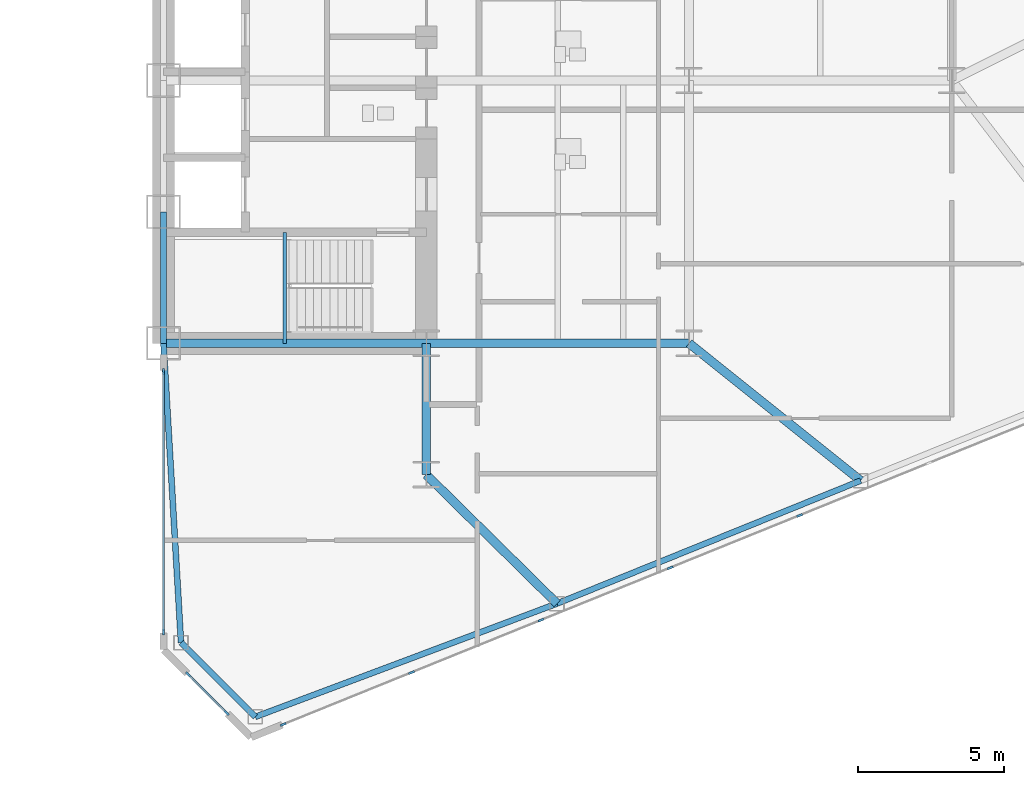
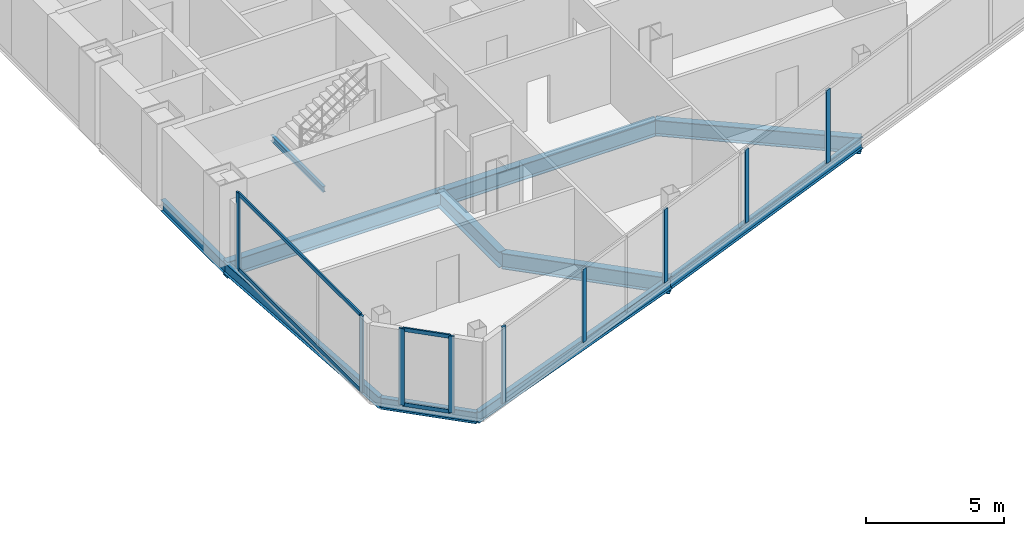
# One storey, part 9 of 25: 13 members, 11 beams, 3 elements without a shape of their own.
"""IFC4 building model written with IfcOpenShell, lengths in metres."""

from ifc_helpers import new_model, si_unit, direction, frame, origin, origin_2d, place, context, subcontext, project, spatial, rectangle, i_section, extrude, source, transform, mapped, material, layer, layer_set, material_profile, profile_set, type_object, type_shapes, element, aggregate, save


model = new_model("IFC4")

# Units and contexts
model_context = context("Model", 3, precision=1e-05, world=origin(), true_north=direction((0.0, 1.0)))
body_context = subcontext(model_context, "Body", "Model", "MODEL_VIEW")
ifc_project = project(units=[si_unit("LENGTHUNIT", "METRE"), si_unit("AREAUNIT", "SQUARE_METRE"), si_unit("VOLUMEUNIT", "CUBIC_METRE"), si_unit("PLANEANGLEUNIT", "RADIAN"), si_unit("MASSUNIT", "GRAM", prefix="KILO")], contexts=[model_context])

# Site, building, storey
site_placement = place(None, origin())
site = spatial("IfcSite", under=ifc_project, at=site_placement, CompositionType="ELEMENT")
building_placement = place(site_placement, origin())
building = spatial("IfcBuilding", under=site, at=building_placement, Name="Seokmaru Belvedere", CompositionType="ELEMENT")
storey_placement = place(building_placement, frame((0.0, 0.0, 54.89990234375)))
storey = spatial("IfcBuildingStorey", under=building, at=storey_placement, Name="L14", CompositionType="ELEMENT", Elevation=54.89990234375)

# Beams
ifc_material_1 = material(Name="Steel SM355 (355 MPa)", Category="steel")
ifc_material_profile_1 = material_profile(ifc_material_1, i_section(OverallWidth=0.199951171875, OverallDepth=0.5, WebThickness=0.010009765625, FlangeThickness=0.01611328125, at=origin_2d()), Name="H-500x200x10x16")
ifc_profile_set_1 = profile_set([ifc_material_profile_1], Name="Steel SM355 (355 MPa)")
beam_type_1 = type_object("IfcBeamType", Name="Perimeter Spandrel Beam H-500", PredefinedType="SPANDREL", material=ifc_profile_set_1)
shared_shape_1 = source(origin(), body_context, "Body", "SweptSolid", [
    extrude(i_section(OverallWidth=0.199951171875, OverallDepth=0.5, WebThickness=0.010009765625, FlangeThickness=0.01611328125, at=origin_2d()), origin(), (0.0, 0.0, 1.0), 4.5),
])
beam_1_placement = place(storey_placement, frame((27.5, -13.5, -0.469970703125), z_axis=(0.0, 1.0, 0.0), x_axis=(-1.0, 0.0, 0.0)))
element("IfcBeam", 1, at=beam_1_placement, inside=storey, type_object=beam_type_1, Name="L14 E Portal Spine Spandrel 1", PredefinedType="SPANDREL", context=body_context, shape_type="MappedRepresentation", body=[
    mapped(shared_shape_1, transform((0.0, 0.0, 0.0), scale=1.0)),
])
ifc_material_profile_2 = material_profile(ifc_material_1, i_section(OverallWidth=0.300048828125, OverallDepth=0.699951171875, WebThickness=0.012939453125, FlangeThickness=0.02392578125, at=origin_2d()), Name="H-700x300x13x24")
ifc_profile_set_2 = profile_set([ifc_material_profile_2], Name="Steel SM355 (355 MPa)")
beam_type_2 = type_object("IfcBeamType", Name="Primary Floor Girder H-700", PredefinedType="BEAM", material=ifc_profile_set_2)
shared_shape_2 = source(origin(), body_context, "Body", "SweptSolid", [
    extrude(i_section(OverallWidth=0.300048828125, OverallDepth=0.699951171875, WebThickness=0.012939453125, FlangeThickness=0.02392578125, at=origin_2d()), origin(), (0.0, 0.0, 1.0), 4.5),
])
beam_2_placement = place(storey_placement, frame((36.5, -18.0, -0.56982421875), z_axis=(0.0, 1.0, 0.0), x_axis=(-1.0, 0.0, 0.0)))
element("IfcBeam", 2, at=beam_2_placement, inside=storey, type_object=beam_type_2, Name="L14 E Core Shoulder Girder S", PredefinedType="BEAM", context=body_context, shape_type="MappedRepresentation", body=[
    mapped(shared_shape_2, transform((0.0, 0.0, 0.0), scale=1.0)),
])
shared_shape_3 = source(origin(), body_context, "Body", "SweptSolid", [
    extrude(i_section(OverallWidth=0.300048828125, OverallDepth=0.699951171875, WebThickness=0.012939453125, FlangeThickness=0.02392578125, at=origin_2d()), origin(), (0.0, 0.0, 1.0), 9.0),
])
for number, where, z_axis, x_axis, name in (
    (3, (27.5, -13.5, -0.56982421875), (1.0, 0.0, 0.0), (0.0, 1.0, 0.0), "L14 E Core Tie Girder 1"),
    (4, (36.5, -13.5, -0.56982421875), (1.0, 0.0, 0.0), (0.0, 1.0, 0.0), "L14 E Wing Primary Girder 1"),
):
    element("IfcBeam", number, at=place(storey_placement, frame(where, z_axis=z_axis, x_axis=x_axis)), inside=storey, type_object=beam_type_2, Name=name, PredefinedType="BEAM", context=body_context, shape_type="MappedRepresentation", body=[
        mapped(shared_shape_3, transform((0.0, 0.0, 0.0), scale=1.0)),
    ])
shared_shape_4 = source(origin(), body_context, "Body", "SweptSolid", [
    extrude(i_section(OverallWidth=0.199951171875, OverallDepth=0.5, WebThickness=0.010009765625, FlangeThickness=0.01611328125, at=origin_2d()), origin(), (0.0, 0.0, 1.0), 11.03857421875),
])
beam_3_placement = place(storey_placement, frame((30.643310546875, -26.294677734375, -0.469970703125), z_axis=(0.936169110734, 0.351549990907, 0.0), x_axis=(-0.351549990907, 0.936169110734, 0.0)))
element("IfcBeam", 5, at=beam_3_placement, inside=storey, type_object=beam_type_1, Name="L14 E Faceted Flank Spandrel S-1", PredefinedType="SPANDREL", context=body_context, shape_type="MappedRepresentation", body=[
    mapped(shared_shape_4, transform((0.0, 0.0, 0.0), scale=1.0)),
])
shared_shape_5 = source(origin(), body_context, "Body", "SweptSolid", [
    extrude(i_section(OverallWidth=0.199951171875, OverallDepth=0.5, WebThickness=0.010009765625, FlangeThickness=0.01611328125, at=origin_2d()), origin(), (0.0, 0.0, 1.0), 11.220703125),
])
beam_4_placement = place(storey_placement, frame((40.977294921875, -22.4140625, -0.469970703125), z_axis=(0.926944290816, 0.375198989503, 0.0), x_axis=(-0.375198989503, 0.926944290816, 0.0)))
element("IfcBeam", 6, at=beam_4_placement, inside=storey, type_object=beam_type_1, Name="L14 E Faceted Flank Spandrel S-2", PredefinedType="SPANDREL", context=body_context, shape_type="MappedRepresentation", body=[
    mapped(shared_shape_5, transform((0.0, 0.0, 0.0), scale=1.0)),
])
shared_shape_6 = source(origin(), body_context, "Body", "SweptSolid", [
    extrude(i_section(OverallWidth=0.199951171875, OverallDepth=0.5, WebThickness=0.010009765625, FlangeThickness=0.01611328125, at=origin_2d()), origin(), (0.0, 0.0, 1.0), 3.5966796875),
])
beam_5_placement = place(storey_placement, frame((30.643310546875, -26.294677734375, -0.469970703125), z_axis=(-0.707106781187, 0.707106781187, 0.0), x_axis=(-0.707106781187, -0.707106781187, 0.0)))
element("IfcBeam", 7, at=beam_5_placement, inside=storey, type_object=beam_type_1, Name="L14 E Shoulder Chamfer Spandrel S", PredefinedType="SPANDREL", context=body_context, shape_type="MappedRepresentation", body=[
    mapped(shared_shape_6, transform((0.0, 0.0, 0.0), scale=1.0)),
])
shared_shape_7 = source(origin(), body_context, "Body", "SweptSolid", [
    extrude(i_section(OverallWidth=0.199951171875, OverallDepth=0.5, WebThickness=0.010009765625, FlangeThickness=0.01611328125, at=origin_2d()), origin(), (0.0, 0.0, 1.0), 10.26904296875),
])
type_shapes(beam_type_1, [shared_shape_1, shared_shape_4, shared_shape_5, shared_shape_6, shared_shape_7])
beam_6_placement = place(storey_placement, frame((28.10009765625, -23.75146484375, -0.469970703125), z_axis=(-0.058437709399, 0.998291056817, 0.0), x_axis=(-0.998291056817, -0.058437709399, 0.0)))
element("IfcBeam", 8, at=beam_6_placement, inside=storey, type_object=beam_type_1, Name="L14 E Shoulder Spine Spandrel S", PredefinedType="SPANDREL", context=body_context, shape_type="MappedRepresentation", body=[
    mapped(shared_shape_7, transform((0.0, 0.0, 0.0), scale=1.0)),
])
shared_shape_8 = source(origin(), body_context, "Body", "SweptSolid", [
    extrude(i_section(OverallWidth=0.300048828125, OverallDepth=0.699951171875, WebThickness=0.012939453125, FlangeThickness=0.02392578125, at=origin_2d()), origin(), (0.0, 0.0, 1.0), 6.287353515625),
])
beam_7_placement = place(storey_placement, frame((40.977294921875, -22.4140625, -0.56982421875), z_axis=(-0.712117485263, 0.702060315915, 0.0), x_axis=(-0.702060315915, -0.712117485263, 0.0)))
element("IfcBeam", 9, at=beam_7_placement, inside=storey, type_object=beam_type_2, Name="L14 E Flank Radial Floor Girder S-1", PredefinedType="BEAM", context=body_context, shape_type="MappedRepresentation", body=[
    mapped(shared_shape_8, transform((0.0, 0.0, 0.0), scale=1.0)),
])
shared_shape_9 = source(origin(), body_context, "Body", "SweptSolid", [
    extrude(i_section(OverallWidth=0.300048828125, OverallDepth=0.699951171875, WebThickness=0.012939453125, FlangeThickness=0.02392578125, at=origin_2d()), origin(), (0.0, 0.0, 1.0), 7.52880859375),
])
type_shapes(beam_type_2, [shared_shape_2, shared_shape_3, shared_shape_8, shared_shape_9])
beam_8_placement = place(storey_placement, frame((51.378173828125, -18.2041015625, -0.56982421875), z_axis=(-0.780767560736, 0.624821587418, 0.0), x_axis=(-0.624821587418, -0.780767560736, 0.0)))
element("IfcBeam", 10, at=beam_8_placement, inside=storey, type_object=beam_type_2, Name="L14 E Flank Radial Floor Girder S-2", PredefinedType="BEAM", context=body_context, shape_type="MappedRepresentation", body=[
    mapped(shared_shape_9, transform((0.0, 0.0, 0.0), scale=1.0)),
])

# Curtain wall, member
ifc_material_2 = material(Name="Bronze Triple Insulating Glass", Category="glass")
ifc_layer = layer(ifc_material_2, 0.2099609375)
ifc_layer_set = layer_set([ifc_layer], Name="Bronze Triple Insulating Glass")
curtain_wall_type = type_object("IfcCurtainWallType", Name="Low-Rise Faceted Crystal Curtain Wall System CW-2", PredefinedType="NOTDEFINED", material=ifc_layer_set)
curtain_wall_1_placement = place(storey_placement, origin())
curtain_wall_1 = element("IfcCurtainWall", 11, at=curtain_wall_1_placement, inside=storey, type_object=curtain_wall_type, Name="L14 Curtain Wall EF1", PredefinedType="NOTDEFINED")
ifc_material_3 = material(Name="Anodised Bronze Aluminium", Category="aluminium")
ifc_material_profile_3 = material_profile(ifc_material_3, rectangle(XDim=0.074951171875, YDim=0.2099609375, at=origin_2d()), Name="CW-M-75x210")
ifc_profile_set_3 = profile_set([ifc_material_profile_3], Name="Anodised Bronze Aluminium")
member_type_1 = type_object("IfcMemberType", Name="Bronze Unitised Mullion 75x210", PredefinedType="MULLION", material=ifc_profile_set_3)
shared_shape_10 = source(origin(), body_context, "Body", "SweptSolid", [
    extrude(rectangle(XDim=0.074951171875, YDim=0.2099609375, at=origin_2d()), origin(), (0.0, 0.0, 1.0), 3.380126953125),
])
member_1_placement = place(storey_placement, frame((31.600830078125, -26.554443359375, 0.0), z_axis=(0.0, 0.0, 1.0), x_axis=(-0.375192321888, 0.926946989637, 0.0)))
member_1 = element("IfcMember", 12, at=member_1_placement, type_object=member_type_1, Name="CW:L14:EF1 Mullion 1", PredefinedType="MULLION", context=body_context, shape_type="MappedRepresentation", body=[
    mapped(shared_shape_10, transform((0.0, 0.0, 0.0), scale=1.0)),
])

# Curtain wall, members
curtain_wall_2_placement = place(storey_placement, origin())
curtain_wall_2 = element("IfcCurtainWall", 13, at=curtain_wall_2_placement, inside=storey, type_object=curtain_wall_type, Name="L14 Curtain Wall ESP_1", PredefinedType="NOTDEFINED")
member_2_placement = place(storey_placement, frame((27.5, -14.467529296875, 0.0), z_axis=(0.0, 0.0, 1.0), x_axis=(1.0, 0.0, 0.0)))
member_2 = element("IfcMember", 14, at=member_2_placement, type_object=member_type_1, Name="CW:L14:ESP_1 Mullion 1", PredefinedType="MULLION", context=body_context, shape_type="MappedRepresentation", body=[
    mapped(shared_shape_10, transform((0.0, 0.0, 0.0), scale=1.0)),
])
member_3_placement = place(storey_placement, frame((27.5, -23.392578125, 0.0), z_axis=(0.0, 0.0, 1.0), x_axis=(1.0, 0.0, 0.0)))
member_3 = element("IfcMember", 15, at=member_3_placement, type_object=member_type_1, Name="CW:L14:ESP_1 Mullion 2", PredefinedType="MULLION", context=body_context, shape_type="MappedRepresentation", body=[
    mapped(shared_shape_10, transform((0.0, 0.0, 0.0), scale=1.0)),
])

curtain_wall_3_placement = place(storey_placement, origin())
curtain_wall_3 = element("IfcCurtainWall", 16, at=curtain_wall_3_placement, inside=storey, type_object=curtain_wall_type, Name="L14 Curtain Wall EF6", PredefinedType="NOTDEFINED")
member_4_placement = place(storey_placement, frame((28.339599609375, -24.839599609375, 0.0), z_axis=(0.0, 0.0, 1.0), x_axis=(0.707106781187, 0.707106781187, 0.0)))
member_4 = element("IfcMember", 17, at=member_4_placement, type_object=member_type_1, Name="CW:L14:EF6 Mullion 1", PredefinedType="MULLION", context=body_context, shape_type="MappedRepresentation", body=[
    mapped(shared_shape_10, transform((0.0, 0.0, 0.0), scale=1.0)),
])
member_5_placement = place(storey_placement, frame((29.660400390625, -26.160400390625, 0.0), z_axis=(0.0, 0.0, 1.0), x_axis=(0.707106781187, 0.707106781187, 0.0)))
member_5 = element("IfcMember", 18, at=member_5_placement, type_object=member_type_1, Name="CW:L14:EF6 Mullion 2", PredefinedType="MULLION", context=body_context, shape_type="MappedRepresentation", body=[
    mapped(shared_shape_10, transform((0.0, 0.0, 0.0), scale=1.0)),
])

# Member
ifc_material_profile_4 = material_profile(ifc_material_3, rectangle(XDim=0.070068359375, YDim=0.1650390625, at=origin_2d()), Name="CW-T-70x165")
ifc_profile_set_4 = profile_set([ifc_material_profile_4], Name="Anodised Bronze Aluminium")
member_type_2 = type_object("IfcMemberType", Name="Bronze Unitised Transom 70x165", PredefinedType="USERDEFINED", material=ifc_profile_set_4)
shared_shape_11 = source(origin(), body_context, "Body", "SweptSolid", [
    extrude(rectangle(XDim=0.070068359375, YDim=0.1650390625, at=origin_2d()), origin(), (0.0, 0.0, 1.0), 8.85009765625),
])
member_6_placement = place(storey_placement, frame((27.5, -14.5048828125, 0.03515625), z_axis=(0.0, -1.0, 0.0), x_axis=(1.0, 0.0, 0.0)))
member_6 = element("IfcMember", 19, at=member_6_placement, type_object=member_type_2, Name="CW:L14:ESP_1 Continuous Transom 1", ObjectType="TRANSOM", PredefinedType="USERDEFINED", context=body_context, shape_type="MappedRepresentation", body=[
    mapped(shared_shape_11, transform((0.0, 0.0, 0.0), scale=1.0)),
])

member_7_placement = place(storey_placement, frame((27.5, -14.5048828125, 3.34521484375), z_axis=(0.0, -1.0, 0.0), x_axis=(1.0, 0.0, 0.0)))
member_7 = element("IfcMember", 20, at=member_7_placement, type_object=member_type_2, Name="CW:L14:ESP_1 Continuous Transom 2", ObjectType="TRANSOM", PredefinedType="USERDEFINED", context=body_context, shape_type="MappedRepresentation", body=[
    mapped(shared_shape_11, transform((0.0, 0.0, 0.0), scale=1.0)),
])

aggregate(curtain_wall_2, [member_2, member_3, member_6, member_7])

shared_shape_12 = source(origin(), body_context, "Body", "SweptSolid", [
    extrude(rectangle(XDim=0.070068359375, YDim=0.1650390625, at=origin_2d()), origin(), (0.0, 0.0, 1.0), 1.792724609375),
])
type_shapes(member_type_2, [shared_shape_11, shared_shape_12])
member_8_placement = place(storey_placement, frame((28.3662109375, -24.8662109375, 0.03515625), z_axis=(0.707106781187, -0.707106781187, 0.0), x_axis=(0.707106781187, 0.707106781187, 0.0)))
member_8 = element("IfcMember", 21, at=member_8_placement, type_object=member_type_2, Name="CW:L14:EF6 Continuous Transom 1", ObjectType="TRANSOM", PredefinedType="USERDEFINED", context=body_context, shape_type="MappedRepresentation", body=[
    mapped(shared_shape_12, transform((0.0, 0.0, 0.0), scale=1.0)),
])

member_9_placement = place(storey_placement, frame((28.3662109375, -24.8662109375, 3.34521484375), z_axis=(0.707106781187, -0.707106781187, 0.0), x_axis=(0.707106781187, 0.707106781187, 0.0)))
member_9 = element("IfcMember", 22, at=member_9_placement, type_object=member_type_2, Name="CW:L14:EF6 Continuous Transom 2", ObjectType="TRANSOM", PredefinedType="USERDEFINED", context=body_context, shape_type="MappedRepresentation", body=[
    mapped(shared_shape_12, transform((0.0, 0.0, 0.0), scale=1.0)),
])

aggregate(curtain_wall_3, [member_4, member_5, member_8, member_9])

shared_shape_13 = source(origin(), body_context, "Body", "SweptSolid", [
    extrude(rectangle(XDim=0.074951171875, YDim=0.2099609375, at=origin_2d()), origin(), (0.0, 0.0, 1.0), 3.239990234375),
])
type_shapes(member_type_1, [shared_shape_10, shared_shape_13])
member_10_placement = place(storey_placement, frame((35.995849609375, -24.775390625, 0.070068359375), z_axis=(0.0, 0.0, 1.0), x_axis=(-0.375192321888, 0.926946989637, 0.0)))
member_10 = element("IfcMember", 23, at=member_10_placement, type_object=member_type_1, Name="CW:L14:EF1 Mullion 2", PredefinedType="MULLION", context=body_context, shape_type="MappedRepresentation", body=[
    mapped(shared_shape_13, transform((0.0, 0.0, 0.0), scale=1.0)),
])

member_11_placement = place(storey_placement, frame((40.425537109375, -22.982421875, 0.070068359375), z_axis=(0.0, 0.0, 1.0), x_axis=(-0.375192321888, 0.926946989637, 0.0)))
member_11 = element("IfcMember", 24, at=member_11_placement, type_object=member_type_1, Name="CW:L14:EF1 Mullion 3", PredefinedType="MULLION", context=body_context, shape_type="MappedRepresentation", body=[
    mapped(shared_shape_13, transform((0.0, 0.0, 0.0), scale=1.0)),
])

member_12_placement = place(storey_placement, frame((44.855224609375, -21.189453125, 0.070068359375), z_axis=(0.0, 0.0, 1.0), x_axis=(-0.375192321888, 0.926946989637, 0.0)))
member_12 = element("IfcMember", 25, at=member_12_placement, type_object=member_type_1, Name="CW:L14:EF1 Mullion 4", PredefinedType="MULLION", context=body_context, shape_type="MappedRepresentation", body=[
    mapped(shared_shape_13, transform((0.0, 0.0, 0.0), scale=1.0)),
])

member_13_placement = place(storey_placement, frame((49.28515625, -19.396484375, 0.070068359375), z_axis=(0.0, 0.0, 1.0), x_axis=(-0.375192321888, 0.926946989637, 0.0)))
member_13 = element("IfcMember", 26, at=member_13_placement, type_object=member_type_1, Name="CW:L14:EF1 Mullion 5", PredefinedType="MULLION", context=body_context, shape_type="MappedRepresentation", body=[
    mapped(shared_shape_13, transform((0.0, 0.0, 0.0), scale=1.0)),
])

aggregate(curtain_wall_1, [member_1, member_10, member_11, member_12, member_13])

# Beam
ifc_material_profile_5 = material_profile(ifc_material_1, i_section(OverallWidth=0.125, OverallDepth=0.25, WebThickness=0.006103515625, FlangeThickness=0.009033203125, at=origin_2d()), Name="H-250x125x6x9")
ifc_profile_set_5 = profile_set([ifc_material_profile_5], Name="Steel SM355 (355 MPa)")
beam_type_3 = type_object("IfcBeamType", Name="Stair Mid-Landing Support Beam H-250", PredefinedType="JOIST", material=ifc_profile_set_5)
shared_shape_14 = source(origin(), body_context, "Body", "SweptSolid", [
    extrude(i_section(OverallWidth=0.125, OverallDepth=0.25, WebThickness=0.006103515625, FlangeThickness=0.009033203125, at=origin_2d()), origin(), (0.0, 0.0, 1.0), 3.800048828125),
])
type_shapes(beam_type_3, [shared_shape_14])
beam_9_placement = place(storey_placement, frame((31.64990234375, -13.5, 1.47509765625), z_axis=(0.0, 1.0, 0.0), x_axis=(-1.0, 0.0, 0.0)))
element("IfcBeam", 27, at=beam_9_placement, inside=storey, type_object=beam_type_3, Name="L14 Stair ST-E1 Mid-Landing Support Beam 1", PredefinedType="JOIST", context=body_context, shape_type="MappedRepresentation", body=[
    mapped(shared_shape_14, transform((0.0, 0.0, 0.0), scale=1.0)),
])

save(model, "model.ifc")
